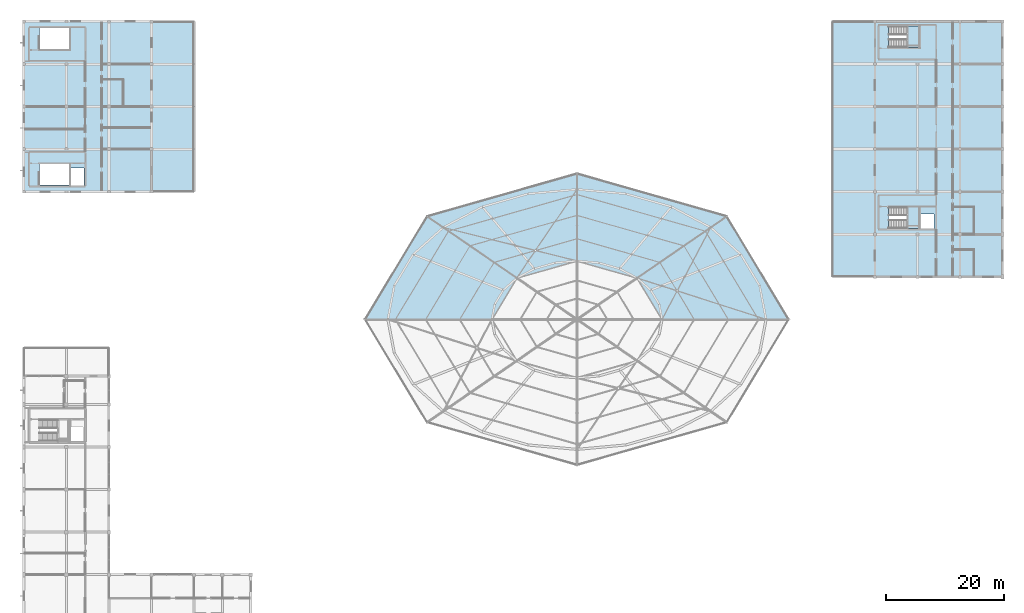
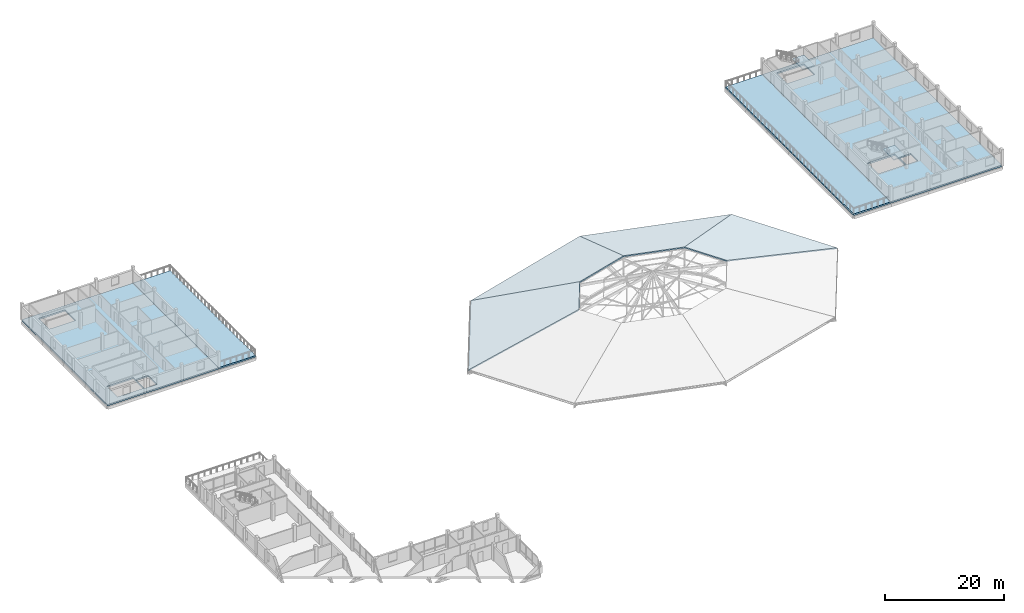
# One storey, part 46 of 66: 10 slabs, 2 elements without a shape of their own.
"""IFC4 building model written with IfcOpenShell, lengths in metres."""

from ifc_helpers import new_model, si_unit, direction, frame, origin, place, context, subcontext, project, spatial, polyline, outline, extrude, material, layer, layer_set, type_object, element, aggregate, save


model = new_model("IFC4")

# Units and contexts
model_context = context("Model", 3, precision=1e-05, world=origin(), true_north=direction((0.0, 1.0)))
body_context = subcontext(model_context, "Body", "Model", "MODEL_VIEW")
ifc_project = project(units=[si_unit("LENGTHUNIT", "METRE"), si_unit("AREAUNIT", "SQUARE_METRE"), si_unit("VOLUMEUNIT", "CUBIC_METRE"), si_unit("PLANEANGLEUNIT", "RADIAN"), si_unit("MASSUNIT", "GRAM", prefix="KILO")], contexts=[model_context])

# Site, building, storey
site_placement = place(None, origin())
site = spatial("IfcSite", under=ifc_project, at=site_placement, CompositionType="ELEMENT")
building_placement = place(site_placement, origin())
building = spatial("IfcBuilding", under=site, at=building_placement, Name="Zornivar Specialist Clinic", CompositionType="ELEMENT")
storey_placement = place(building_placement, frame((0.0, 0.0, 16.0)))
storey = spatial("IfcBuildingStorey", under=building, at=storey_placement, Name="L04", CompositionType="ELEMENT", Elevation=16.0)

# Slabs
ifc_material_1 = material(Name="Concrete C30/37", Category="concrete")
ifc_layer_1 = layer(ifc_material_1, 0.31005859375)
ifc_layer_set_1 = layer_set([ifc_layer_1], Name="Concrete C30/37")
slab_type_1 = type_object("IfcSlabType", Name="SLB-EXT-TERR-310", PredefinedType="FLOOR", material=ifc_layer_set_1)
slab_1_placement = place(storey_placement, frame((0.0, 0.0, -0.31005859375)))
element("IfcSlab", 1, at=slab_1_placement, inside=storey, type_object=slab_type_1, Name="slab:V5:L04:terr:0", PredefinedType="FLOOR", context=body_context, shape_type="SweptSolid", body=[
    extrude(outline(polyline([(21.60009765625, 79.199951171875), (28.800048828125, 79.199951171875), (28.800048828125, 108.0), (21.60009765625, 108.0), (21.60009765625, 79.199951171875)])), origin(), (0.0, 0.0, 1.0), 0.31005859375),
])
ifc_material_2 = material(Name="Concrete C30/37", Category="concrete")
ifc_layer_2 = layer(ifc_material_2, 0.320068359375)
ifc_layer_set_2 = layer_set([ifc_layer_2], Name="Concrete C30/37")
slab_type_2 = type_object("IfcSlabType", Name="SLB-EXT-TERR-320", PredefinedType="FLOOR", material=ifc_layer_set_2)
slab_2_placement = place(storey_placement, frame((0.0, 0.0, -0.320068359375)))
element("IfcSlab", 2, at=slab_2_placement, inside=storey, type_object=slab_type_2, Name="slab:V6:L04:terr:0", PredefinedType="FLOOR", context=body_context, shape_type="SweptSolid", body=[
    extrude(outline(polyline([(136.800048828125, 64.800048828125), (144.0, 64.800048828125), (144.0, 108.0), (136.800048828125, 108.0), (136.800048828125, 64.800048828125)])), origin(), (0.0, 0.0, 1.0), 0.320068359375),
])
ifc_material_3 = material(Name="Concrete C30/37", Category="concrete")
ifc_layer_3 = layer(ifc_material_3, 0.320068359375)
ifc_layer_set_3 = layer_set([ifc_layer_3], Name="Concrete C30/37")
slab_type_3 = type_object("IfcSlabType", Name="SLB-FLR-LAB-320", PredefinedType="FLOOR", material=ifc_layer_set_3)
slab_3_placement = place(storey_placement, frame((0.0, 0.0, -0.320068359375)))
element("IfcSlab", 3, at=slab_3_placement, inside=storey, type_object=slab_type_3, Name="slab:V6:L04:main", PredefinedType="FLOOR", context=body_context, shape_type="SweptSolid", body=[
    extrude(outline(polyline([(144.0, 64.800048828125), (165.60009765625, 64.800048828125), (165.60009765625, 108.0), (144.0, 108.0), (144.0, 64.800048828125)]), holes=[polyline([(146.320068359375, 73.0), (151.60009765625, 73.0), (151.60009765625, 76.60009765625), (146.320068359375, 76.60009765625), (146.320068359375, 73.0)]), polyline([(151.800048828125, 73.0), (154.0, 73.0), (154.0, 75.39990234375), (151.800048828125, 75.39990234375), (151.800048828125, 73.0)]), polyline([(146.320068359375, 103.60009765625), (151.60009765625, 103.60009765625), (151.60009765625, 107.199951171875), (146.320068359375, 107.199951171875), (146.320068359375, 103.60009765625)])]), origin(), (0.0, 0.0, 1.0), 0.320068359375),
])
ifc_material_4 = material(Name="Concrete C30/37", Category="concrete")
ifc_layer_4 = layer(ifc_material_4, 0.31005859375)
ifc_layer_set_4 = layer_set([ifc_layer_4], Name="Concrete C30/37")
slab_type_4 = type_object("IfcSlabType", Name="SLB-FLR-PROC-310", PredefinedType="FLOOR", material=ifc_layer_set_4)
slab_4_placement = place(storey_placement, frame((0.0, 0.0, -0.31005859375)))
element("IfcSlab", 4, at=slab_4_placement, inside=storey, type_object=slab_type_4, Name="slab:V5:L04:main", PredefinedType="FLOOR", context=body_context, shape_type="SweptSolid", body=[
    extrude(outline(polyline([(0.0, 79.199951171875), (21.60009765625, 79.199951171875), (21.60009765625, 108.0), (0.0, 108.0), (0.0, 79.199951171875)]), holes=[polyline([(2.6201171875, 80.300048828125), (7.699951171875, 80.300048828125), (7.699951171875, 83.89990234375), (2.6201171875, 83.89990234375), (2.6201171875, 80.300048828125)]), polyline([(7.800048828125, 80.199951171875), (10.199951171875, 80.199951171875), (10.199951171875, 83.199951171875), (7.800048828125, 83.199951171875), (7.800048828125, 80.199951171875)]), polyline([(2.6201171875, 103.300048828125), (7.699951171875, 103.300048828125), (7.699951171875, 106.89990234375), (2.6201171875, 106.89990234375), (2.6201171875, 103.300048828125)])]), origin(), (0.0, 0.0, 1.0), 0.31005859375),
])

# Stair, slab
ifc_material_5 = material(Name="Concrete C30/37", Category="concrete")
stair_type = type_object("IfcStairType", Name="STR-CORE-UPPER-3700", PredefinedType="HALF_TURN_STAIR", material=ifc_material_5)
stair_1_placement = place(storey_placement, origin())
stair_1 = element("IfcStair", 5, at=stair_1_placement, inside=storey, type_object=stair_type, Name="stair:C9:L04", PredefinedType="HALF_TURN_STAIR")
ifc_material_6 = material(Name="Concrete C30/37", Category="concrete")
ifc_layer_5 = layer(ifc_material_6, 0.179931640625)
ifc_layer_set_5 = layer_set([ifc_layer_5], Name="Concrete C30/37")
slab_type_5 = type_object("IfcSlabType", Name="SLB-LANDING-180", PredefinedType="LANDING", material=ifc_layer_set_5)
slab_5_placement = place(storey_placement, frame((0.0, 0.0, 1.669921875)))
slab_5 = element("IfcSlab", 6, at=slab_5_placement, type_object=slab_type_5, Name="stair:C9:L04:land", PredefinedType="LANDING", context=body_context, shape_type="SweptSolid", body=[
    extrude(outline(polyline([(149.360107421875, 72.97998046875), (151.6201171875, 72.97998046875), (151.6201171875, 76.6201171875), (149.360107421875, 76.6201171875), (149.360107421875, 72.97998046875)])), origin(), (0.0, 0.0, 1.0), 0.18017578125),
])
aggregate(stair_1, [slab_5])

stair_2_placement = place(storey_placement, origin())
stair_2 = element("IfcStair", 7, at=stair_2_placement, inside=storey, type_object=stair_type, Name="stair:C10:L04", PredefinedType="HALF_TURN_STAIR")
slab_6_placement = place(storey_placement, frame((0.0, 0.0, 1.669921875)))
slab_6 = element("IfcSlab", 8, at=slab_6_placement, type_object=slab_type_5, Name="stair:C10:L04:land", PredefinedType="LANDING", context=body_context, shape_type="SweptSolid", body=[
    extrude(outline(polyline([(149.360107421875, 103.580078125), (151.6201171875, 103.580078125), (151.6201171875, 107.219970703125), (149.360107421875, 107.219970703125), (149.360107421875, 103.580078125)])), origin(), (0.0, 0.0, 1.0), 0.18017578125),
])
aggregate(stair_2, [slab_6])

# Slabs
ifc_material_7 = material(Name="Concrete C30/37", Category="concrete")
ifc_layer_6 = layer(ifc_material_7, 0.199951171875)
ifc_layer_set_6 = layer_set([ifc_layer_6], Name="Concrete C30/37")
slab_type_6 = type_object("IfcSlabType", Name="SLB-ROOF-PITCH-200", PredefinedType="ROOF", material=ifc_layer_set_6)
slab_7_placement = place(storey_placement, frame((129.43994140625, 57.60009765625, 0.0), z_axis=(0.221040097264, 0.133188391607, 0.966127386913), x_axis=(-0.516097863282, 0.856529623255, -1.532911e-06)))
element("IfcSlab", 9, at=slab_7_placement, inside=storey, type_object=slab_type_6, Name="slab:V1:L04:pitch:low:0", PredefinedType="ROOF", context=body_context, shape_type="SweptSolid", body=[
    extrude(outline(polyline([(0.0, 0.0), (20.341208045678222, 0.0), (19.237717651456663, 19.007966390525464), (11.065100429315223, 19.00779701828181), (0.0, 0.0)])), origin(), (0.0, 0.0, -1.0), 0.199951171875),
])
slab_8_placement = place(storey_placement, frame((118.94189453125, 75.02294921875, 0.0), z_axis=(0.089564649607, 0.314488871378, 0.945026414086), x_axis=(-0.961758733459, 0.273898044191, 1.795906e-06)))
element("IfcSlab", 10, at=slab_8_placement, inside=storey, type_object=slab_type_6, Name="slab:V1:L04:pitch:low:1", PredefinedType="ROOF", context=body_context, shape_type="SweptSolid", body=[
    extrude(outline(polyline([(0.0, 0.0), (26.34942788510722, 0.0), (22.31218219792421, 15.000988862902616), (11.725388021210764, 15.001191722795436), (0.0, 0.0)])), origin(), (0.0, 0.0, -1.0), 0.199951171875),
])
slab_9_placement = place(storey_placement, frame((93.60009765625, 82.239990234375, 0.0), z_axis=(-0.089563589425, 0.314489471428, 0.945026314877), x_axis=(-0.961759460267, -0.273895492087, -1.461221e-06)))
element("IfcSlab", 11, at=slab_9_placement, inside=storey, type_object=slab_type_6, Name="slab:V1:L04:pitch:low:2", PredefinedType="ROOF", context=body_context, shape_type="SweptSolid", body=[
    extrude(outline(polyline([(0.0, 0.0), (26.349662689627987, -1.7763568394002505e-15), (14.62423869159427, 15.001163602174374), (4.037209710908762, 15.000998545250157), (0.0, 0.0)])), origin(), (0.0, 0.0, -1.0), 0.199951171875),
])
slab_10_placement = place(storey_placement, frame((68.258056640625, 75.02294921875, 0.0), z_axis=(-0.221040097264, 0.133188391607, 0.966127386913), x_axis=(-0.516097863282, -0.856529623255, 1.532911e-06)))
element("IfcSlab", 12, at=slab_10_placement, inside=storey, type_object=slab_type_6, Name="slab:V1:L04:pitch:low:3", PredefinedType="ROOF", context=body_context, shape_type="SweptSolid", body=[
    extrude(outline(polyline([(0.0, 0.0), (20.341208045678222, 0.0), (9.276107616362998, 19.00779701828181), (1.103490394221556, 19.007966390525464), (0.0, 0.0)])), origin(), (0.0, 0.0, -1.0), 0.199951171875),
])

save(model, "model.ifc")
